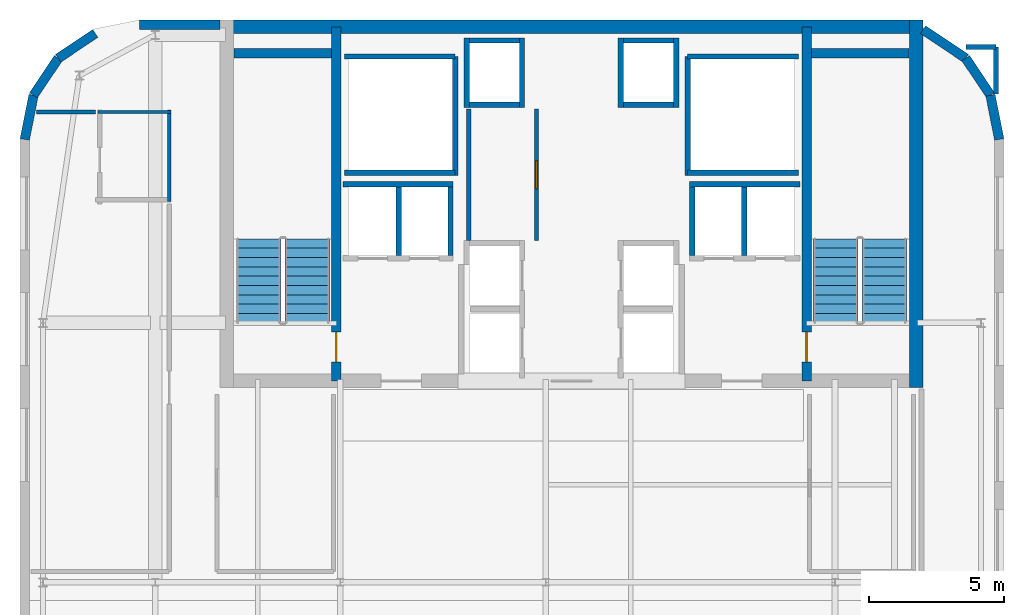
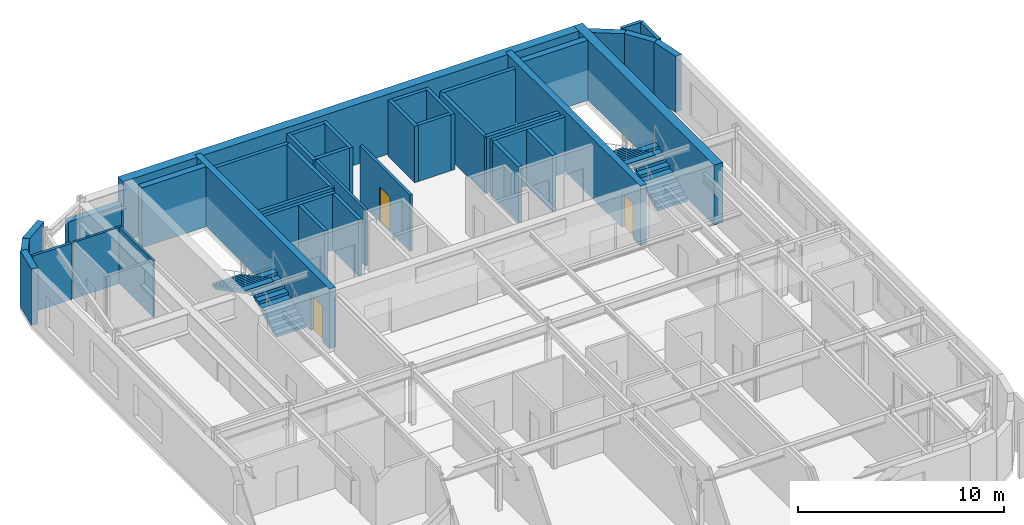
# One storey, part 9 of 12: 40 walls, 4 stair flights, 3 doors, 3 openings, 2 elements without a shape of their own.
"""IFC4 building model written with IfcOpenShell, lengths in metres."""

from ifc_helpers import new_model, si_unit, direction, frame, frame_2d, origin, place, context, subcontext, project, spatial, polyline, rectangle, outline, extrude, source, transform, mapped, material, layer, layer_set, type_object, type_shapes, element, fill, aggregate, save


model = new_model("IFC4")

# Units and contexts
model_context = context("Model", 3, precision=1e-05, world=origin(), true_north=direction((0.0, 1.0)))
body_context = subcontext(model_context, "Body", "Model", "MODEL_VIEW")
ifc_project = project(units=[si_unit("LENGTHUNIT", "METRE"), si_unit("AREAUNIT", "SQUARE_METRE"), si_unit("VOLUMEUNIT", "CUBIC_METRE"), si_unit("PLANEANGLEUNIT", "RADIAN"), si_unit("MASSUNIT", "GRAM", prefix="KILO")], contexts=[model_context])

# Site, building, storey
site_placement = place(None, origin())
site = spatial("IfcSite", under=ifc_project, at=site_placement, CompositionType="ELEMENT")
building_placement = place(site_placement, origin())
building = spatial("IfcBuilding", under=site, at=building_placement, Name="Tolvann Quenvar Hotel", CompositionType="ELEMENT")
storey_placement = place(building_placement, frame((0.0, 0.0, 275.050048828125)))
storey = spatial("IfcBuildingStorey", under=building, at=storey_placement, Name="L73", CompositionType="ELEMENT", Elevation=275.050048828125)

# Walls
ifc_material_1 = material(Name="Concrete N50 (50 MPa)", Category="concrete")
ifc_layer_1 = layer(ifc_material_1, 0.5)
ifc_layer_set_1 = layer_set([ifc_layer_1], Name="Concrete N50 (50 MPa)")
wall_type_1 = type_object("IfcWallType", Name="WALL_CORE_500", PredefinedType="SHEAR", material=ifc_layer_set_1)
wall_1_placement = place(storey_placement, frame((10.0, 44.949951171875, 0.0), z_axis=(0.0, 0.0, 1.0), x_axis=(1.0, 0.0, 0.0)))
element("IfcWall", 1, at=wall_1_placement, inside=storey, type_object=wall_type_1, Name="Rear Core N Shear Wall (L73)", PredefinedType="SHEAR", context=body_context, shape_type="SweptSolid", body=[
    extrude(rectangle(XDim=26.0, YDim=0.5, at=frame_2d((13.0, 0.0))), origin(), (0.0, 0.0, 1.0), 3.550048828125),
])
wall_2_placement = place(storey_placement, frame((35.75, 31.60009765625, 0.0), z_axis=(0.0, 0.0, 1.0), x_axis=(0.0, 1.0, 0.0)))
element("IfcWall", 2, at=wall_2_placement, inside=storey, type_object=wall_type_1, Name="Rear Core E Shear Wall (L73)", PredefinedType="SHEAR", context=body_context, shape_type="SweptSolid", body=[
    extrude(rectangle(XDim=13.599853515625, YDim=0.5, at=frame_2d((6.7998046875, 0.0))), origin(), (0.0, 0.0, 1.0), 3.550048828125),
])

# Wall, opening, door
ifc_material_2 = material(Name="Concrete S65 (65 MPa)", Category="concrete")
ifc_layer_2 = layer(ifc_material_2, 0.35009765625)
ifc_layer_set_2 = layer_set([ifc_layer_2], Name="Concrete S65 (65 MPa)")
wall_type_2 = type_object("IfcWallType", Name="WALL_CORE_INT_350", PredefinedType="SHEAR", material=ifc_layer_set_2)
wall_3_placement = place(storey_placement, frame((14.300048828125, 31.85009765625, 0.0), z_axis=(0.0, 0.0, 1.0), x_axis=(0.0, 1.0, 0.0)))
wall_3 = element("IfcWall", 3, at=wall_3_placement, inside=storey, type_object=wall_type_2, Name="Core Internal Web Shear Wall WEB-W (L73)", PredefinedType="SHEAR", context=body_context, shape_type="SweptSolid", body=[
    extrude(rectangle(XDim=13.099853515625, YDim=0.35009765625, at=frame_2d((6.5498046875, 0.0))), origin(), (0.0, 0.0, 1.0), 3.550048828125),
])
opening_1_placement = place(wall_3_placement, frame((0.699951171875, 0.0, 0.0)))
opening_1 = element("IfcOpeningElement", 4, at=opening_1_placement, cuts=wall_3, Name="Opening FD-120", PredefinedType="OPENING", context=body_context, shape_type="SweptSolid", body=[
    extrude(rectangle(XDim=1.10009765625, YDim=2.1201171875, at=frame_2d((0.550048828125, 1.06005859375))), frame((0.0, 0.18505859375, 0.0), z_axis=(0.0, -1.0, 0.0), x_axis=(1.0, 0.0, 0.0)), (0.0, 0.0, 1.0), 0.3701171875),
])
ifc_material_3 = material(Name="Pressed galvanised steel fire-rated door set", Category="steel")
door_type_1 = type_object("IfcDoorType", Name="DOOR_FIRE_STAIR_1100", OperationType="NOTDEFINED", PredefinedType="DOOR", material=ifc_material_3)
shared_shape_1 = source(origin(), body_context, "Body", "SweptSolid", [
    extrude(rectangle(XDim=1.10009765625, YDim=2.1201171875, at=frame_2d((0.550048828125, 1.06005859375))), frame((0.0, 0.02490234375, 0.0), z_axis=(0.0, -1.0, 0.0), x_axis=(1.0, 0.0, 0.0)), (0.0, 0.0, 1.0), 0.050048828125),
])
type_shapes(door_type_1, [shared_shape_1])
door_1_placement = place(opening_1_placement, origin())
door_1 = element("IfcDoor", 5, at=door_1_placement, inside=storey, type_object=door_type_1, Name="Exit Stair ST-C1 Fire Door (L73)", OperationType="SINGLE_SWING_LEFT", OverallHeight=2.1201171875, OverallWidth=1.10009765625, PredefinedType="DOOR", context=body_context, shape_type="MappedRepresentation", body=[
    mapped(shared_shape_1, transform((0.0, 0.0, 0.0), x_axis=(1.0, 0.0, 0.0), y_axis=(0.0, 1.0, 0.0), z_axis=(0.0, 0.0, 1.0), scale=1.0)),
])
fill(opening_1, door_1)

wall_4_placement = place(storey_placement, frame((31.699951171875, 31.85009765625, 0.0), z_axis=(0.0, 0.0, 1.0), x_axis=(0.0, 1.0, 0.0)))
wall_4 = element("IfcWall", 6, at=wall_4_placement, inside=storey, type_object=wall_type_2, Name="Core Internal Web Shear Wall WEB-E (L73)", PredefinedType="SHEAR", context=body_context, shape_type="SweptSolid", body=[
    extrude(rectangle(XDim=13.099853515625, YDim=0.35009765625, at=frame_2d((6.5498046875, 0.0))), origin(), (0.0, 0.0, 1.0), 3.550048828125),
])
opening_2_placement = place(wall_4_placement, frame((1.800048828125, 0.0, 0.0), z_axis=(0.0, 0.0, 1.0), x_axis=(-1.0, 0.0, 0.0)))
opening_2 = element("IfcOpeningElement", 7, at=opening_2_placement, cuts=wall_4, Name="Opening FD-120", PredefinedType="OPENING", context=body_context, shape_type="SweptSolid", body=[
    extrude(rectangle(XDim=1.10009765625, YDim=2.1201171875, at=frame_2d((0.550048828125, 1.06005859375))), frame((0.0, 0.18505859375, 0.0), z_axis=(0.0, -1.0, 0.0), x_axis=(1.0, 0.0, 0.0)), (0.0, 0.0, 1.0), 0.3701171875),
])
door_2_placement = place(opening_2_placement, origin())
door_2 = element("IfcDoor", 8, at=door_2_placement, inside=storey, type_object=door_type_1, Name="Exit Stair ST-C2 Fire Door (L73)", OperationType="SINGLE_SWING_RIGHT", OverallHeight=2.1201171875, OverallWidth=1.10009765625, PredefinedType="DOOR", context=body_context, shape_type="MappedRepresentation", body=[
    mapped(shared_shape_1, transform((0.0, 0.0, 0.0), x_axis=(1.0, 0.0, 0.0), y_axis=(0.0, 1.0, 0.0), z_axis=(0.0, 0.0, 1.0), scale=1.0)),
])
fill(opening_2, door_2)

# Walls
for number, where, z_axis, x_axis, name in (
    (9, (10.52001953125, 43.97509765625, 0.0), (0.0, 0.0, 1.0), (1.0, 0.0, 0.0), "Core Stair North Closing Shear Wall STC1-N (L73)"),
    (10, (31.8798828125, 43.97509765625, 0.0), (0.0, 0.0, 1.0), (1.0, 0.0, 0.0), "Core Stair North Closing Shear Wall STC2-N (L73)"),
):
    element("IfcWall", number, at=place(storey_placement, frame(where, z_axis=z_axis, x_axis=x_axis)), inside=storey, type_object=wall_type_2, Name=name, PredefinedType="SHEAR", context=body_context, shape_type="SweptSolid", body=[
        extrude(rectangle(XDim=3.60009765625, YDim=0.35009765625, at=frame_2d((1.800048828125, 0.0))), origin(), (0.0, 0.0, 1.0), 3.550048828125),
    ])
ifc_material_4 = material(Name="Kiln-fired red and buff architectural clay brickwork and terracotta masonry", Category="masonry")
ifc_layer_3 = layer(ifc_material_4, 0.35009765625)
ifc_layer_set_3 = layer_set([ifc_layer_3], Name="Kiln-fired red and buff architectural clay brickwork and terracotta masonry")
wall_type_3 = type_object("IfcWallType", Name="WALL_EXT_BRICK_350", PredefinedType="SOLIDWALL", material=ifc_layer_set_3)
wall_5_placement = place(storey_placement, frame((38.824951171875, 40.78271484375, 0.0), z_axis=(0.0, 0.0, 1.0), x_axis=(-0.195044345786, 0.980794424524, 0.0)))
element("IfcWall", 11, at=wall_5_placement, inside=storey, type_object=wall_type_3, Name="Exterior Chicago Brick Wall L73-E10", PredefinedType="SOLIDWALL", context=body_context, shape_type="SweptSolid", body=[
    extrude(rectangle(XDim=1.664794921875, YDim=0.35009765625, at=frame_2d((0.83251953125, 0.0))), origin(), (0.0, 0.0, 1.0), 3.329833984375),
])
wall_6_placement = place(storey_placement, frame((38.500244140625, 42.41552734375, 0.0), z_axis=(0.0, 0.0, 1.0), x_axis=(-0.555520825599, 0.831502623162, 0.0)))
element("IfcWall", 12, at=wall_6_placement, inside=storey, type_object=wall_type_3, Name="Exterior Chicago Brick Wall L73-E11", PredefinedType="SOLIDWALL", context=body_context, shape_type="SweptSolid", body=[
    extrude(rectangle(XDim=1.647216796875, YDim=0.35009765625, at=frame_2d((0.82373046875, 0.0))), origin(), (0.0, 0.0, 1.0), 3.329833984375),
])
wall_7_placement = place(storey_placement, frame((37.585205078125, 43.78515625, 0.0), z_axis=(0.0, 0.0, 1.0), x_axis=(-0.831516639465, 0.555499845448, 0.0)))
element("IfcWall", 13, at=wall_7_placement, inside=storey, type_object=wall_type_3, Name="Exterior Chicago Brick Wall L73-E12", PredefinedType="SOLIDWALL", context=body_context, shape_type="SweptSolid", body=[
    extrude(rectangle(XDim=1.901611328125, YDim=0.35009765625, at=frame_2d((0.95068359375, 0.0))), origin(), (0.0, 0.0, 1.0), 3.329833984375),
])
wall_8_placement = place(storey_placement, frame((9.99609375, 45.02490234375, 0.0), z_axis=(0.0, 0.0, 1.0), x_axis=(-1.0, 0.0, 0.0)))
element("IfcWall", 14, at=wall_8_placement, inside=storey, type_object=wall_type_3, Name="Exterior Chicago Brick Wall L73-E14NW", PredefinedType="SOLIDWALL", context=body_context, shape_type="SweptSolid", body=[
    extrude(rectangle(XDim=2.97900390625, YDim=0.35009765625, at=frame_2d((1.489501953125, 0.0))), origin(), (0.0, 0.0, 1.0), 2.119873046875),
])
for number, where, z_axis, x_axis, name in (
    (15, (5.384521484375, 44.7001953125, 0.0), (0.0, 0.0, 1.0), (-0.831502623162, -0.555520825599, 0.0), "Exterior Chicago Brick Wall L73-E16"),
    (16, (4.014892578125, 43.78515625, 0.0), (0.0, 0.0, 1.0), (-0.555623290322, -0.831434158098, 0.0), "Exterior Chicago Brick Wall L73-E17"),
):
    element("IfcWall", number, at=place(storey_placement, frame(where, z_axis=z_axis, x_axis=x_axis)), inside=storey, type_object=wall_type_3, Name=name, PredefinedType="SOLIDWALL", context=body_context, shape_type="SweptSolid", body=[
        extrude(rectangle(XDim=1.647216796875, YDim=0.35009765625, at=frame_2d((0.82373046875, 0.0))), origin(), (0.0, 0.0, 1.0), 2.85986328125),
    ])
wall_9_placement = place(storey_placement, frame((3.099609375, 42.41552734375, 0.0), z_axis=(0.0, 0.0, 1.0), x_axis=(-0.195044345786, -0.980794424524, 0.0)))
element("IfcWall", 17, at=wall_9_placement, inside=storey, type_object=wall_type_3, Name="Exterior Chicago Brick Wall L73-E18", PredefinedType="SOLIDWALL", context=body_context, shape_type="SweptSolid", body=[
    extrude(rectangle(XDim=1.664794921875, YDim=0.35009765625, at=frame_2d((0.83251953125, 0.0))), origin(), (0.0, 0.0, 1.0), 3.329833984375),
])
ifc_material_5 = material(Name="Acoustic twin-stud fire-rated gypsum plasterboard partition")
ifc_layer_4 = layer(ifc_material_5, 0.179931640625)
ifc_layer_set_4 = layer_set([ifc_layer_4], Name="Acoustic twin-stud fire-rated gypsum plasterboard partition")
wall_type_4 = type_object("IfcWallType", Name="WALL_PART_ACOUSTIC_180", PredefinedType="PARTITIONING", material=ifc_layer_set_4)
wall_10_placement = place(storey_placement, frame((37.5849609375, 44.199951171875, 0.0), z_axis=(0.0, 0.0, 1.0), x_axis=(1.0, 0.0, 0.0)))
element("IfcWall", 18, at=wall_10_placement, inside=storey, type_object=wall_type_4, Name="Interior Partition PT-SPC-L73-LNGE-N", PredefinedType="PARTITIONING", context=body_context, shape_type="SweptSolid", body=[
    extrude(rectangle(XDim=1.114990234375, YDim=0.179931640625, at=frame_2d((0.5576171875, 0.0))), origin(), (0.0, 0.0, 1.0), 3.329833984375),
])
wall_11_placement = place(storey_placement, frame((38.699951171875, 42.455078125, 0.0), z_axis=(0.0, 0.0, 1.0), x_axis=(0.0, 1.0, 0.0)))
element("IfcWall", 19, at=wall_11_placement, inside=storey, type_object=wall_type_4, Name="Interior Partition PT-SPC-L73-LNGE-E", PredefinedType="PARTITIONING", context=body_context, shape_type="SweptSolid", body=[
    extrude(rectangle(XDim=1.744873046875, YDim=0.179931640625, at=frame_2d((0.87255859375, 0.0))), origin(), (0.0, 0.0, 1.0), 3.329833984375),
])
ifc_material_6 = material(Name="Moisture-resistant acoustic plumbing wall assembly")
ifc_layer_5 = layer(ifc_material_6, 0.1201171875)
ifc_layer_set_5 = layer_set([ifc_layer_5], Name="Moisture-resistant acoustic plumbing wall assembly")
wall_type_5 = type_object("IfcWallType", Name="WALL_PART_BATH_120", PredefinedType="PLUMBINGWALL", material=ifc_layer_set_5)
wall_12_placement = place(storey_placement, frame((5.47998046875, 41.800048828125, 0.0), z_axis=(0.0, 0.0, 1.0), x_axis=(1.0, 0.0, 0.0)))
element("IfcWall", 20, at=wall_12_placement, inside=storey, type_object=wall_type_5, Name="Non-Rated Plumbing Partition PT-SPC-L73-NW-ENS-N", PredefinedType="PLUMBINGWALL", context=body_context, shape_type="SweptSolid", body=[
    extrude(rectangle(XDim=2.7099609375, YDim=0.1201171875, at=frame_2d((1.35498046875, 0.0))), origin(), (0.0, 0.0, 1.0), 3.329833984375),
])
wall_13_placement = place(storey_placement, frame((8.1201171875, 38.47998046875, 0.0), z_axis=(0.0, 0.0, 1.0), x_axis=(0.0, 1.0, 0.0)))
element("IfcWall", 21, at=wall_13_placement, inside=storey, type_object=wall_type_5, Name="Non-Rated Plumbing Partition PT-SPC-L73-NW-ENS-E", PredefinedType="PLUMBINGWALL", context=body_context, shape_type="SweptSolid", body=[
    extrude(rectangle(XDim=3.39013671875, YDim=0.1201171875, at=frame_2d((1.695068359375, 0.0))), origin(), (0.0, 0.0, 1.0), 3.329833984375),
])

# Wall, opening, door
ifc_layer_6 = layer(ifc_material_5, 0.14990234375)
ifc_layer_set_6 = layer_set([ifc_layer_6], Name="Acoustic twin-stud fire-rated gypsum plasterboard partition")
wall_type_6 = type_object("IfcWallType", Name="WALL_PART_SUITE_150", PredefinedType="PARTITIONING", material=ifc_layer_set_6)
wall_14_placement = place(storey_placement, frame((21.699951171875, 37.050048828125, 0.0), z_axis=(0.0, 0.0, 1.0), x_axis=(0.0, 1.0, 0.0)))
wall_14 = element("IfcWall", 22, at=wall_14_placement, inside=storey, type_object=wall_type_6, Name="Interior Partition PT-SPC-L73-RECPM-1-ENT", PredefinedType="PARTITIONING", context=body_context, shape_type="SweptSolid", body=[
    extrude(rectangle(XDim=4.849853515625, YDim=0.14990234375, at=frame_2d((2.4248046875, 0.0))), origin(), (0.0, 0.0, 1.0), 3.329833984375),
])
opening_3_placement = place(wall_14_placement, frame((1.9150390625, 0.0, 0.0)))
opening_3 = element("IfcOpeningElement", 23, at=opening_3_placement, cuts=wall_14, Name="Opening HD-01", PredefinedType="OPENING", context=body_context, shape_type="SweptSolid", body=[
    extrude(rectangle(XDim=1.02001953125, YDim=2.030029296875, at=frame_2d((0.510009765625, 1.01513671875))), frame((0.0, 0.0849609375, 0.0), z_axis=(0.0, -1.0, 0.0), x_axis=(1.0, 0.0, 0.0)), (0.0, 0.0, 1.0), 0.169921875),
])
door_type_2 = type_object("IfcDoorType", Name="DOOR_BOH_1020", OperationType="NOTDEFINED", PredefinedType="DOOR", material=ifc_material_3)
shared_shape_2 = source(origin(), body_context, "Body", "SweptSolid", [
    extrude(rectangle(XDim=1.02001953125, YDim=2.030029296875, at=frame_2d((0.510009765625, 1.01513671875))), frame((0.0, 0.02490234375, 0.0), z_axis=(0.0, -1.0, 0.0), x_axis=(1.0, 0.0, 0.0)), (0.0, 0.0, 1.0), 0.050048828125),
])
type_shapes(door_type_2, [shared_shape_2])
door_3_placement = place(opening_3_placement, origin())
door_3 = element("IfcDoor", 24, at=door_3_placement, inside=storey, type_object=door_type_2, Name="Interior Door DOOR-SPC-L73-RECPM-1", OperationType="SINGLE_SWING_LEFT", OverallHeight=2.030029296875, OverallWidth=1.02001953125, PredefinedType="DOOR", context=body_context, shape_type="MappedRepresentation", body=[
    mapped(shared_shape_2, transform((0.0, 0.0, 0.0), x_axis=(1.0, 0.0, 0.0), y_axis=(0.0, 1.0, 0.0), z_axis=(0.0, 0.0, 1.0), scale=1.0)),
])
fill(opening_3, door_3)

# Walls
wall_15_placement = place(storey_placement, frame((19.199951171875, 37.0400390625, 0.0), z_axis=(0.0, 0.0, 1.0), x_axis=(0.0, 1.0, 0.0)))
element("IfcWall", 25, at=wall_15_placement, inside=storey, type_object=wall_type_6, Name="Interior Partition PT-SPC-L73-RECPM-1-W", PredefinedType="PARTITIONING", context=body_context, shape_type="SweptSolid", body=[
    extrude(rectangle(XDim=4.85986328125, YDim=0.14990234375, at=frame_2d((2.429931640625, 0.0))), origin(), (0.0, 0.0, 1.0), 3.329833984375),
])
wall_16_placement = place(storey_placement, frame((3.2119140625, 41.800048828125, 0.0), z_axis=(0.0, 0.0, 1.0), x_axis=(1.0, 0.0, 0.0)))
element("IfcWall", 26, at=wall_16_placement, inside=storey, type_object=wall_type_6, Name="Interior Partition PT-SPC-L73-NW-STE-E5", PredefinedType="PARTITIONING", context=body_context, shape_type="SweptSolid", body=[
    extrude(rectangle(XDim=2.18798828125, YDim=0.14990234375, at=frame_2d((1.093994140625, 0.0))), origin(), (0.0, 0.0, 1.0), 3.329833984375),
])
ifc_material_7 = material(Name="Concrete N40 (40 MPa)", Category="concrete")
ifc_layer_7 = layer(ifc_material_7, 0.199951171875)
ifc_layer_set_7 = layer_set([ifc_layer_7], Name="Concrete N40 (40 MPa)")
wall_type_7 = type_object("IfcWallType", Name="WALL_SHAFT_200", PredefinedType="SOLIDWALL", material=ifc_layer_set_7)
wall_17_placement = place(storey_placement, frame((18.699951171875, 39.449951171875, 0.0), z_axis=(0.0, 0.0, 1.0), x_axis=(0.0, 1.0, 0.0)))
element("IfcWall", 27, at=wall_17_placement, inside=storey, type_object=wall_type_7, Name="Service Riser W Shaft Wall IN (L73)", PredefinedType="SOLIDWALL", context=body_context, shape_type="SweptSolid", body=[
    extrude(rectangle(XDim=4.400146484375, YDim=0.199951171875, at=frame_2d((2.2001953125, 0.0))), origin(), (0.0, 0.0, 1.0), 3.329833984375),
])
for number, where, z_axis, x_axis, name in (
    (28, (14.60009765625, 39.550048828125, 0.0), (0.0, 0.0, 1.0), (1.0, 0.0, 0.0), "Service Riser W Shaft Wall S (L73)"),
    (29, (14.60009765625, 43.85009765625, 0.0), (0.0, 0.0, 1.0), (1.0, 0.0, 0.0), "Service Riser W Shaft Wall N (L73)"),
):
    element("IfcWall", number, at=place(storey_placement, frame(where, z_axis=z_axis, x_axis=x_axis)), inside=storey, type_object=wall_type_7, Name=name, PredefinedType="SOLIDWALL", context=body_context, shape_type="SweptSolid", body=[
        extrude(rectangle(XDim=4.099853515625, YDim=0.199951171875, at=frame_2d((2.0498046875, 0.0))), origin(), (0.0, 0.0, 1.0), 3.329833984375),
    ])
wall_18_placement = place(storey_placement, frame((27.300048828125, 39.449951171875, 0.0), z_axis=(0.0, 0.0, 1.0), x_axis=(0.0, 1.0, 0.0)))
element("IfcWall", 30, at=wall_18_placement, inside=storey, type_object=wall_type_7, Name="Service Riser E Shaft Wall IN (L73)", PredefinedType="SOLIDWALL", context=body_context, shape_type="SweptSolid", body=[
    extrude(rectangle(XDim=4.400146484375, YDim=0.199951171875, at=frame_2d((2.2001953125, 0.0))), origin(), (0.0, 0.0, 1.0), 3.329833984375),
])
for number, where, z_axis, x_axis, name in (
    (31, (27.300048828125, 39.550048828125, 0.0), (0.0, 0.0, 1.0), (1.0, 0.0, 0.0), "Service Riser E Shaft Wall S (L73)"),
    (32, (27.300048828125, 43.85009765625, 0.0), (0.0, 0.0, 1.0), (1.0, 0.0, 0.0), "Service Riser E Shaft Wall N (L73)"),
):
    element("IfcWall", number, at=place(storey_placement, frame(where, z_axis=z_axis, x_axis=x_axis)), inside=storey, type_object=wall_type_7, Name=name, PredefinedType="SOLIDWALL", context=body_context, shape_type="SweptSolid", body=[
        extrude(rectangle(XDim=4.099853515625, YDim=0.199951171875, at=frame_2d((2.0498046875, 0.0))), origin(), (0.0, 0.0, 1.0), 3.329833984375),
    ])
for number, where, z_axis, x_axis, name in (
    (33, (21.169921875, 41.9599609375, 0.0), (0.0, 0.0, 1.0), (0.0, 1.0, 0.0), "Lift Bank E21.1C2 Hoistway Front Wall (L73)"),
    (34, (19.1298828125, 41.9599609375, 0.0), (0.0, 0.0, 1.0), (0.0, 1.0, 0.0), "Lift Bank E21.1C2 Hoistway Rear Wall (L73)"),
):
    element("IfcWall", number, at=place(storey_placement, frame(where, z_axis=z_axis, x_axis=x_axis)), inside=storey, type_object=wall_type_7, Name=name, PredefinedType="SOLIDWALL", context=body_context, shape_type="SweptSolid", body=[
        extrude(rectangle(XDim=2.580078125, YDim=0.199951171875, at=frame_2d((1.2900390625, 0.0))), origin(), (0.0, 0.0, 1.0), 3.329833984375),
    ])
for number, where, z_axis, x_axis, name in (
    (35, (19.22998046875, 42.06005859375, 0.0), (0.0, 0.0, 1.0), (1.0, 0.0, 0.0), "Lift Bank E21.1C2 Hoistway Cheek Wall 1 (L73)"),
    (36, (19.22998046875, 44.43994140625, 0.0), (0.0, 0.0, 1.0), (1.0, 0.0, 0.0), "Lift Bank E21.1C2 Hoistway Cheek Wall 2 (L73)"),
):
    element("IfcWall", number, at=place(storey_placement, frame(where, z_axis=z_axis, x_axis=x_axis)), inside=storey, type_object=wall_type_7, Name=name, PredefinedType="SOLIDWALL", context=body_context, shape_type="SweptSolid", body=[
        extrude(rectangle(XDim=1.840087890625, YDim=0.199951171875, at=frame_2d((0.919921875, 0.0))), origin(), (0.0, 0.0, 1.0), 3.329833984375),
    ])
wall_19_placement = place(storey_placement, frame((27.375, 39.1201171875, 0.0), z_axis=(0.0, 0.0, 1.0), x_axis=(1.0, 0.0, 0.0)))
element("IfcWall", 37, at=wall_19_placement, inside=storey, type_object=wall_type_7, Name="Lift Bank SEC1 Hoistway Rear Wall (L73)", PredefinedType="SOLIDWALL", context=body_context, shape_type="SweptSolid", body=[
    extrude(rectangle(XDim=4.074951171875, YDim=0.199951171875, at=frame_2d((2.03759765625, 0.0))), origin(), (0.0, 0.0, 1.0), 3.329833984375),
])
for number, where, z_axis, x_axis, name in (
    (38, (27.47509765625, 36.47998046875, 0.0), (0.0, 0.0, 1.0), (0.0, 1.0, 0.0), "Lift Bank SEC1 Hoistway Cheek Wall 1 (L73)"),
    (39, (29.387451171875, 36.47998046875, 0.0), (0.0, 0.0, 1.0), (0.0, 1.0, 0.0), "Lift Bank SEC1 Divider Wall 1 (L73)"),
):
    element("IfcWall", number, at=place(storey_placement, frame(where, z_axis=z_axis, x_axis=x_axis)), inside=storey, type_object=wall_type_7, Name=name, PredefinedType="SOLIDWALL", context=body_context, shape_type="SweptSolid", body=[
        extrude(rectangle(XDim=2.5400390625, YDim=0.199951171875, at=frame_2d((1.27001953125, 0.0))), origin(), (0.0, 0.0, 1.0), 3.329833984375),
    ])
wall_20_placement = place(storey_placement, frame((14.550048828125, 39.1201171875, 0.0), z_axis=(0.0, 0.0, 1.0), x_axis=(1.0, 0.0, 0.0)))
element("IfcWall", 40, at=wall_20_placement, inside=storey, type_object=wall_type_7, Name="Lift Bank SWC1 Hoistway Rear Wall (L73)", PredefinedType="SOLIDWALL", context=body_context, shape_type="SweptSolid", body=[
    extrude(rectangle(XDim=4.074951171875, YDim=0.199951171875, at=frame_2d((2.03759765625, 0.0))), origin(), (0.0, 0.0, 1.0), 3.329833984375),
])
for number, where, z_axis, x_axis, name in (
    (41, (18.52490234375, 36.47998046875, 0.0), (0.0, 0.0, 1.0), (0.0, 1.0, 0.0), "Lift Bank SWC1 Hoistway Cheek Wall 2 (L73)"),
    (42, (16.612548828125, 36.47998046875, 0.0), (0.0, 0.0, 1.0), (0.0, 1.0, 0.0), "Lift Bank SWC1 Divider Wall 1 (L73)"),
):
    element("IfcWall", number, at=place(storey_placement, frame(where, z_axis=z_axis, x_axis=x_axis)), inside=storey, type_object=wall_type_7, Name=name, PredefinedType="SOLIDWALL", context=body_context, shape_type="SweptSolid", body=[
        extrude(rectangle(XDim=2.5400390625, YDim=0.199951171875, at=frame_2d((1.27001953125, 0.0))), origin(), (0.0, 0.0, 1.0), 3.329833984375),
    ])
for number, where, z_axis, x_axis, name in (
    (43, (24.830078125, 41.9599609375, 0.0), (0.0, 0.0, 1.0), (0.0, 1.0, 0.0), "Lift Bank W24.9C2 Hoistway Front Wall (L73)"),
    (44, (26.8701171875, 41.9599609375, 0.0), (0.0, 0.0, 1.0), (0.0, 1.0, 0.0), "Lift Bank W24.9C2 Hoistway Rear Wall (L73)"),
):
    element("IfcWall", number, at=place(storey_placement, frame(where, z_axis=z_axis, x_axis=x_axis)), inside=storey, type_object=wall_type_7, Name=name, PredefinedType="SOLIDWALL", context=body_context, shape_type="SweptSolid", body=[
        extrude(rectangle(XDim=2.580078125, YDim=0.199951171875, at=frame_2d((1.2900390625, 0.0))), origin(), (0.0, 0.0, 1.0), 3.329833984375),
    ])
for number, where, z_axis, x_axis, name in (
    (45, (24.929931640625, 42.06005859375, 0.0), (0.0, 0.0, 1.0), (1.0, 0.0, 0.0), "Lift Bank W24.9C2 Hoistway Cheek Wall 1 (L73)"),
    (46, (24.929931640625, 44.43994140625, 0.0), (0.0, 0.0, 1.0), (1.0, 0.0, 0.0), "Lift Bank W24.9C2 Hoistway Cheek Wall 2 (L73)"),
):
    element("IfcWall", number, at=place(storey_placement, frame(where, z_axis=z_axis, x_axis=x_axis)), inside=storey, type_object=wall_type_7, Name=name, PredefinedType="SOLIDWALL", context=body_context, shape_type="SweptSolid", body=[
        extrude(rectangle(XDim=1.840087890625, YDim=0.199951171875, at=frame_2d((0.919921875, 0.0))), origin(), (0.0, 0.0, 1.0), 3.329833984375),
    ])

# Stair, stair flights
stair_type = type_object("IfcStairType", Name="STAIR", PredefinedType="HALF_TURN_STAIR", material=ifc_material_7)
stair_1_placement = place(storey_placement, origin())
stair_1 = element("IfcStair", 47, at=stair_1_placement, inside=storey, type_object=stair_type, Name="L73 ST-C1", PredefinedType="HALF_TURN_STAIR")
stair_flight_type = type_object("IfcStairFlightType", Name="STAIR_FLIGHT", PredefinedType="STRAIGHT", material=ifc_material_7)
stair_flight_1_placement = place(storey_placement, frame((13.22509765625, 34.0, 0.0), z_axis=(0.0, 0.0, 1.0), x_axis=(0.0, 1.0, 0.0)))
stair_flight_1 = element("IfcStairFlight", 48, at=stair_flight_1_placement, type_object=stair_flight_type, Name="ST-C1 flight 1", NumberOfRisers=10, NumberOfTreads=9, PredefinedType="STRAIGHT", RiserHeight=0.1775, TreadLength=0.345, context=body_context, shape_type="SweptSolid", body=[
    extrude(outline(polyline([(0.0, 0.0), (0.0, 0.177490234375), (0.344970703125, 0.177490234375), (0.344970703125, 0.35498046875), (0.68994140625, 0.35498046875), (0.68994140625, 0.532470703125), (1.034912109375, 0.532470703125), (1.034912109375, 0.7099609375), (1.3798828125, 0.7099609375), (1.3798828125, 0.887451171875), (1.72509765625, 0.887451171875), (1.72509765625, 1.06494140625), (2.070068359375, 1.06494140625), (2.070068359375, 1.242431640625), (2.4150390625, 1.242431640625), (2.4150390625, 1.419921875), (2.760009765625, 1.419921875), (2.760009765625, 1.597412109375), (3.10498046875, 1.597412109375), (3.10498046875, 1.77490234375), (3.10498046875, 1.428955078125), (0.32763671875, 0.0), (0.0, 0.0)])), frame((0.0, 0.824951171875, 0.0), z_axis=(0.0, -1.0, 0.0), x_axis=(1.0, 0.0, 0.0)), (0.0, 0.0, 1.0), 1.64990234375),
])
stair_flight_2_placement = place(storey_placement, frame((11.425048828125, 37.10498046875, 1.77490234375), z_axis=(0.0, 0.0, 1.0), x_axis=(0.0, -1.0, 0.0)))
stair_flight_2 = element("IfcStairFlight", 49, at=stair_flight_2_placement, type_object=stair_flight_type, Name="ST-C1 flight 2", NumberOfRisers=10, NumberOfTreads=9, PredefinedType="STRAIGHT", RiserHeight=0.1775, TreadLength=0.345, context=body_context, shape_type="SweptSolid", body=[
    extrude(outline(polyline([(0.0, 0.0), (0.0, 0.177490234375), (0.344970703125, 0.177490234375), (0.344970703125, 0.35498046875), (0.68994140625, 0.35498046875), (0.68994140625, 0.532470703125), (1.034912109375, 0.532470703125), (1.034912109375, 0.7099609375), (1.3798828125, 0.7099609375), (1.3798828125, 0.887451171875), (1.72509765625, 0.887451171875), (1.72509765625, 1.06494140625), (2.070068359375, 1.06494140625), (2.070068359375, 1.242431640625), (2.4150390625, 1.242431640625), (2.4150390625, 1.419921875), (2.760009765625, 1.419921875), (2.760009765625, 1.597412109375), (3.10498046875, 1.597412109375), (3.10498046875, 1.77490234375), (3.10498046875, 1.428955078125), (0.32763671875, 0.0), (0.0, 0.0)])), frame((0.0, 0.824951171875, 0.0), z_axis=(0.0, -1.0, 0.0), x_axis=(1.0, 0.0, 0.0)), (0.0, 0.0, 1.0), 1.64990234375),
])
aggregate(stair_1, [stair_flight_1, stair_flight_2])

stair_2_placement = place(storey_placement, origin())
stair_2 = element("IfcStair", 50, at=stair_2_placement, inside=storey, type_object=stair_type, Name="L73 ST-C2", PredefinedType="HALF_TURN_STAIR")
stair_flight_3_placement = place(storey_placement, frame((34.574951171875, 34.0, 0.0), z_axis=(0.0, 0.0, 1.0), x_axis=(0.0, 1.0, 0.0)))
stair_flight_3 = element("IfcStairFlight", 51, at=stair_flight_3_placement, type_object=stair_flight_type, Name="ST-C2 flight 1", NumberOfRisers=10, NumberOfTreads=9, PredefinedType="STRAIGHT", RiserHeight=0.1775, TreadLength=0.345, context=body_context, shape_type="SweptSolid", body=[
    extrude(outline(polyline([(0.0, 0.0), (0.0, 0.177490234375), (0.344970703125, 0.177490234375), (0.344970703125, 0.35498046875), (0.68994140625, 0.35498046875), (0.68994140625, 0.532470703125), (1.034912109375, 0.532470703125), (1.034912109375, 0.7099609375), (1.3798828125, 0.7099609375), (1.3798828125, 0.887451171875), (1.72509765625, 0.887451171875), (1.72509765625, 1.06494140625), (2.070068359375, 1.06494140625), (2.070068359375, 1.242431640625), (2.4150390625, 1.242431640625), (2.4150390625, 1.419921875), (2.760009765625, 1.419921875), (2.760009765625, 1.597412109375), (3.10498046875, 1.597412109375), (3.10498046875, 1.77490234375), (3.10498046875, 1.428955078125), (0.32763671875, 0.0), (0.0, 0.0)])), frame((0.0, 0.824951171875, 0.0), z_axis=(0.0, -1.0, 0.0), x_axis=(1.0, 0.0, 0.0)), (0.0, 0.0, 1.0), 1.64990234375),
])
stair_flight_4_placement = place(storey_placement, frame((32.77490234375, 37.10498046875, 1.77490234375), z_axis=(0.0, 0.0, 1.0), x_axis=(0.0, -1.0, 0.0)))
stair_flight_4 = element("IfcStairFlight", 52, at=stair_flight_4_placement, type_object=stair_flight_type, Name="ST-C2 flight 2", NumberOfRisers=10, NumberOfTreads=9, PredefinedType="STRAIGHT", RiserHeight=0.1775, TreadLength=0.345, context=body_context, shape_type="SweptSolid", body=[
    extrude(outline(polyline([(0.0, 0.0), (0.0, 0.177490234375), (0.344970703125, 0.177490234375), (0.344970703125, 0.35498046875), (0.68994140625, 0.35498046875), (0.68994140625, 0.532470703125), (1.034912109375, 0.532470703125), (1.034912109375, 0.7099609375), (1.3798828125, 0.7099609375), (1.3798828125, 0.887451171875), (1.72509765625, 0.887451171875), (1.72509765625, 1.06494140625), (2.070068359375, 1.06494140625), (2.070068359375, 1.242431640625), (2.4150390625, 1.242431640625), (2.4150390625, 1.419921875), (2.760009765625, 1.419921875), (2.760009765625, 1.597412109375), (3.10498046875, 1.597412109375), (3.10498046875, 1.77490234375), (3.10498046875, 1.428955078125), (0.32763671875, 0.0), (0.0, 0.0)])), frame((0.0, 0.824951171875, 0.0), z_axis=(0.0, -1.0, 0.0), x_axis=(1.0, 0.0, 0.0)), (0.0, 0.0, 1.0), 1.64990234375),
])
aggregate(stair_2, [stair_flight_3, stair_flight_4])

save(model, "model.ifc")
